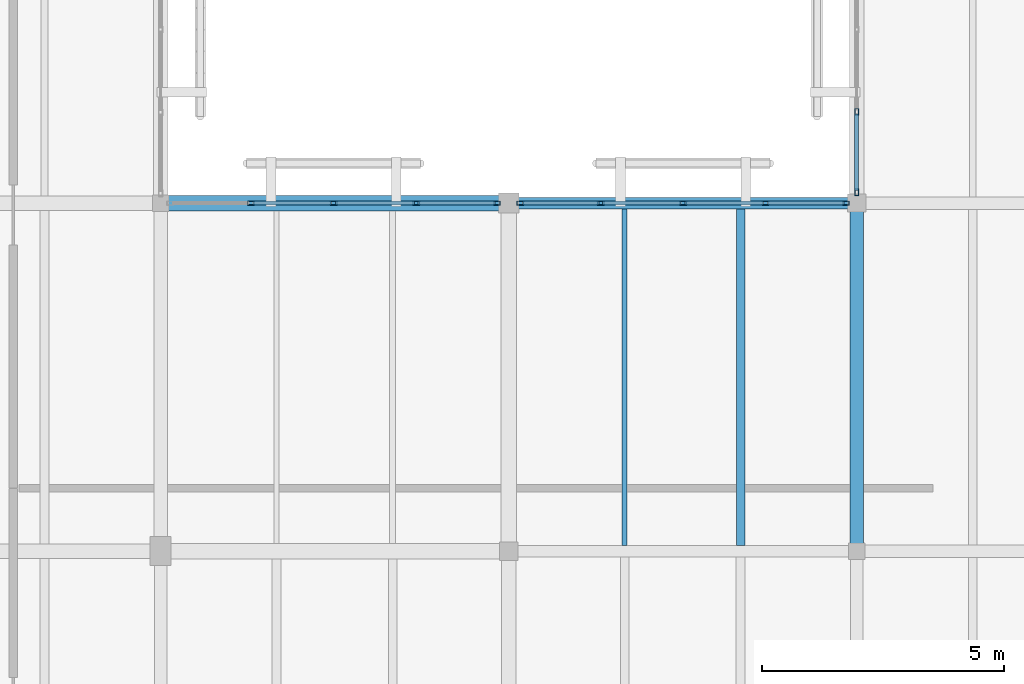
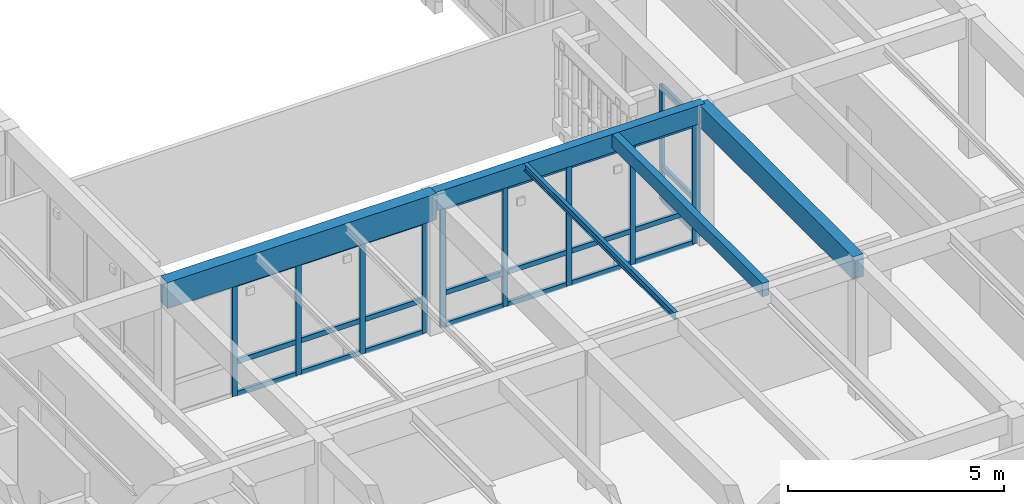
# One storey, part 12 of 61: 35 members, 5 beams, 3 elements without a shape of their own.
"""IFC4 building model written with IfcOpenShell, lengths in metres."""

from ifc_helpers import new_model, si_unit, direction, frame, origin, origin_2d, place, context, subcontext, project, spatial, rectangle, hollow_rectangle, i_section, extrude, material, layer, layer_set, material_profile, profile_set, type_object, element, aggregate, save


model = new_model("IFC4")

# Units and contexts
model_context = context("Model", 3, precision=1e-05, world=origin(), true_north=direction((0.0, 1.0)))
body_context = subcontext(model_context, "Body", "Model", "MODEL_VIEW")
ifc_project = project(units=[si_unit("LENGTHUNIT", "METRE"), si_unit("AREAUNIT", "SQUARE_METRE"), si_unit("VOLUMEUNIT", "CUBIC_METRE"), si_unit("PLANEANGLEUNIT", "RADIAN"), si_unit("MASSUNIT", "GRAM", prefix="KILO")], contexts=[model_context])

# Site, building, storey
site_placement = place(None, origin())
site = spatial("IfcSite", under=ifc_project, at=site_placement, CompositionType="ELEMENT")
building_placement = place(site_placement, origin())
building = spatial("IfcBuilding", under=site, at=building_placement, Name="Mazaris Harbour Polytechnic", CompositionType="ELEMENT")
storey_placement = place(building_placement, frame((0.0, 0.0, 18.0)))
storey = spatial("IfcBuildingStorey", under=building, at=storey_placement, Name="L04", CompositionType="ELEMENT", Elevation=18.0)

# Curtain wall, members
ifc_material_1 = material(Name="Anodised Bronze Aluminium and Low-E Glass", Category="aluminium")
ifc_layer = layer(ifc_material_1, 0.159912109375, Name="Anodised Bronze Aluminium and Low-E Glass")
ifc_layer_set = layer_set([ifc_layer], Name="Anodised Bronze Aluminium and Low-E Glass")
curtain_wall_type = type_object("IfcCurtainWallType", Name="Cloister Court Curtain Wall", PredefinedType="NOTDEFINED", material=ifc_layer_set)
curtain_wall_1_placement = place(storey_placement, origin())
curtain_wall_1 = element("IfcCurtainWall", 1, at=curtain_wall_1_placement, inside=storey, type_object=curtain_wall_type, Name="V4 L04 Curtain Wall 167", PredefinedType="NOTDEFINED")
ifc_material_2 = material(Name="Anodised Bronze Steel S355", Category="steel")
ifc_material_profile_1 = material_profile(ifc_material_2, hollow_rectangle(XDim=0.080078125, YDim=0.139892578125, WallThickness=0.00634765625, at=origin_2d()), Name="RHS 80x140x6.3")
ifc_profile_set_1 = profile_set([ifc_material_profile_1], Name="Anodised Bronze Steel S355")
member_type_1 = type_object("IfcMemberType", Name="Curtain Mullion RHS80x140", PredefinedType="MULLION", material=ifc_profile_set_1)
member_1_placement = place(storey_placement, frame((16.27099609375, 36.0, 0.0), z_axis=(0.0, 0.0, 1.0), x_axis=(0.0, 1.0, 0.0)))
member_1 = element("IfcMember", 2, at=member_1_placement, type_object=member_type_1, Name="CW-02 mullion 2", PredefinedType="MULLION", context=body_context, shape_type="SweptSolid", body=[
    extrude(hollow_rectangle(XDim=0.080078125, YDim=0.139892578125, WallThickness=0.00634765625, at=origin_2d()), origin(), (0.0, 0.0, 1.0), 3.18505859375),
])
member_2_placement = place(storey_placement, frame((17.97998046875, 36.0, 0.0), z_axis=(0.0, 0.0, 1.0), x_axis=(0.0, 1.0, 0.0)))
member_2 = element("IfcMember", 3, at=member_2_placement, type_object=member_type_1, Name="CW-02 mullion 3", PredefinedType="MULLION", context=body_context, shape_type="SweptSolid", body=[
    extrude(hollow_rectangle(XDim=0.080078125, YDim=0.139892578125, WallThickness=0.00634765625, at=origin_2d()), origin(), (0.0, 0.0, 1.0), 3.18505859375),
])
member_3_placement = place(storey_placement, frame((19.68896484375, 36.0, 0.0), z_axis=(0.0, 0.0, 1.0), x_axis=(0.0, 1.0, 0.0)))
member_3 = element("IfcMember", 4, at=member_3_placement, type_object=member_type_1, Name="CW-02 mullion 4", PredefinedType="MULLION", context=body_context, shape_type="SweptSolid", body=[
    extrude(hollow_rectangle(XDim=0.080078125, YDim=0.139892578125, WallThickness=0.00634765625, at=origin_2d()), origin(), (0.0, 0.0, 1.0), 3.18505859375),
])
member_4_placement = place(storey_placement, frame((21.35791015625, 36.0, 0.0), z_axis=(0.0, 0.0, 1.0), x_axis=(0.0, 1.0, 0.0)))
member_4 = element("IfcMember", 5, at=member_4_placement, type_object=member_type_1, Name="CW-02 mullion 5", PredefinedType="MULLION", context=body_context, shape_type="SweptSolid", body=[
    extrude(hollow_rectangle(XDim=0.080078125, YDim=0.139892578125, WallThickness=0.00634765625, at=origin_2d()), origin(), (0.0, 0.0, 1.0), 3.18505859375),
])

curtain_wall_2_placement = place(storey_placement, origin())
curtain_wall_2 = element("IfcCurtainWall", 6, at=curtain_wall_2_placement, inside=storey, type_object=curtain_wall_type, Name="V4 L04 Curtain Wall 168", PredefinedType="NOTDEFINED")
member_5_placement = place(storey_placement, frame((21.842041015625, 36.0, 0.0), z_axis=(0.0, 0.0, 1.0), x_axis=(0.0, 1.0, 0.0)))
member_5 = element("IfcMember", 7, at=member_5_placement, type_object=member_type_1, Name="CW-02 mullion 1", PredefinedType="MULLION", context=body_context, shape_type="SweptSolid", body=[
    extrude(hollow_rectangle(XDim=0.080078125, YDim=0.139892578125, WallThickness=0.00634765625, at=origin_2d()), origin(), (0.0, 0.0, 1.0), 3.405029296875),
])
member_6_placement = place(storey_placement, frame((23.506103515625, 36.0, 0.0), z_axis=(0.0, 0.0, 1.0), x_axis=(0.0, 1.0, 0.0)))
member_6 = element("IfcMember", 8, at=member_6_placement, type_object=member_type_1, Name="CW-02 mullion 2", PredefinedType="MULLION", context=body_context, shape_type="SweptSolid", body=[
    extrude(hollow_rectangle(XDim=0.080078125, YDim=0.139892578125, WallThickness=0.00634765625, at=origin_2d()), origin(), (0.0, 0.0, 1.0), 3.405029296875),
])
member_7_placement = place(storey_placement, frame((25.2099609375, 36.0, 0.0), z_axis=(0.0, 0.0, 1.0), x_axis=(0.0, 1.0, 0.0)))
member_7 = element("IfcMember", 9, at=member_7_placement, type_object=member_type_1, Name="CW-02 mullion 3", PredefinedType="MULLION", context=body_context, shape_type="SweptSolid", body=[
    extrude(hollow_rectangle(XDim=0.080078125, YDim=0.139892578125, WallThickness=0.00634765625, at=origin_2d()), origin(), (0.0, 0.0, 1.0), 3.405029296875),
])
member_8_placement = place(storey_placement, frame((26.9140625, 36.0, 0.0), z_axis=(0.0, 0.0, 1.0), x_axis=(0.0, 1.0, 0.0)))
member_8 = element("IfcMember", 10, at=member_8_placement, type_object=member_type_1, Name="CW-02 mullion 4", PredefinedType="MULLION", context=body_context, shape_type="SweptSolid", body=[
    extrude(hollow_rectangle(XDim=0.080078125, YDim=0.139892578125, WallThickness=0.00634765625, at=origin_2d()), origin(), (0.0, 0.0, 1.0), 3.405029296875),
])
member_9_placement = place(storey_placement, frame((28.577880859375, 36.0, 0.0), z_axis=(0.0, 0.0, 1.0), x_axis=(0.0, 1.0, 0.0)))
member_9 = element("IfcMember", 11, at=member_9_placement, type_object=member_type_1, Name="CW-02 mullion 5", PredefinedType="MULLION", context=body_context, shape_type="SweptSolid", body=[
    extrude(hollow_rectangle(XDim=0.080078125, YDim=0.139892578125, WallThickness=0.00634765625, at=origin_2d()), origin(), (0.0, 0.0, 1.0), 3.405029296875),
])

curtain_wall_3_placement = place(storey_placement, origin())
curtain_wall_3 = element("IfcCurtainWall", 12, at=curtain_wall_3_placement, inside=storey, type_object=curtain_wall_type, Name="V4 L04 Curtain Wall 175", PredefinedType="NOTDEFINED")
member_10_placement = place(storey_placement, frame((28.800048828125, 37.885986328125, 0.0), z_axis=(0.0, 0.0, 1.0), x_axis=(1.0, 0.0, 0.0)))
member_10 = element("IfcMember", 13, at=member_10_placement, type_object=member_type_1, Name="CW-02 mullion 4", PredefinedType="MULLION", context=body_context, shape_type="SweptSolid", body=[
    extrude(hollow_rectangle(XDim=0.080078125, YDim=0.139892578125, WallThickness=0.00634765625, at=origin_2d()), origin(), (0.0, 0.0, 1.0), 3.2451171875),
])
member_11_placement = place(storey_placement, frame((28.800048828125, 36.221923828125, 0.0), z_axis=(0.0, 0.0, 1.0), x_axis=(1.0, 0.0, 0.0)))
member_11 = element("IfcMember", 14, at=member_11_placement, type_object=member_type_1, Name="CW-02 mullion 5", PredefinedType="MULLION", context=body_context, shape_type="SweptSolid", body=[
    extrude(hollow_rectangle(XDim=0.080078125, YDim=0.139892578125, WallThickness=0.00634765625, at=origin_2d()), origin(), (0.0, 0.0, 1.0), 3.2451171875),
])

# Member
ifc_material_3 = material(Name="Anodised Bronze Steel S355", Category="steel")
ifc_material_profile_2 = material_profile(ifc_material_3, hollow_rectangle(XDim=0.080078125, YDim=0.139892578125, WallThickness=0.00634765625, at=origin_2d()), Name="RHS 80x140x6.3")
ifc_profile_set_2 = profile_set([ifc_material_profile_2], Name="Anodised Bronze Steel S355")
member_type_2 = type_object("IfcMemberType", Name="Curtain Transom RHS80x140", PredefinedType="USERDEFINED", material=ifc_profile_set_2)
member_12_placement = place(storey_placement, frame((16.31103515625, 36.0, 0.0400390625), z_axis=(1.0, 0.0, 0.0), x_axis=(0.0, 1.0, 0.0)))
member_12 = element("IfcMember", 15, at=member_12_placement, type_object=member_type_2, Name="CW-02 transom 2.1", ObjectType="TRANSOM", PredefinedType="USERDEFINED", context=body_context, shape_type="SweptSolid", body=[
    extrude(hollow_rectangle(XDim=0.080078125, YDim=0.139892578125, WallThickness=0.00634765625, at=origin_2d()), origin(), (0.0, 0.0, 1.0), 1.62890625),
])

member_13_placement = place(storey_placement, frame((16.31103515625, 36.0, 0.949951171875), z_axis=(1.0, 0.0, 0.0), x_axis=(0.0, 1.0, 0.0)))
member_13 = element("IfcMember", 16, at=member_13_placement, type_object=member_type_2, Name="CW-02 transom 2.2", ObjectType="TRANSOM", PredefinedType="USERDEFINED", context=body_context, shape_type="SweptSolid", body=[
    extrude(hollow_rectangle(XDim=0.080078125, YDim=0.139892578125, WallThickness=0.00634765625, at=origin_2d()), origin(), (0.0, 0.0, 1.0), 1.62890625),
])

member_14_placement = place(storey_placement, frame((16.31103515625, 36.0, 3.14501953125), z_axis=(1.0, 0.0, 0.0), x_axis=(0.0, 1.0, 0.0)))
member_14 = element("IfcMember", 17, at=member_14_placement, type_object=member_type_2, Name="CW-02 transom 2.3", ObjectType="TRANSOM", PredefinedType="USERDEFINED", context=body_context, shape_type="SweptSolid", body=[
    extrude(hollow_rectangle(XDim=0.080078125, YDim=0.139892578125, WallThickness=0.00634765625, at=origin_2d()), origin(), (0.0, 0.0, 1.0), 1.62890625),
])

member_15_placement = place(storey_placement, frame((18.02001953125, 36.0, 0.0400390625), z_axis=(1.0, 0.0, 0.0), x_axis=(0.0, 1.0, 0.0)))
member_15 = element("IfcMember", 18, at=member_15_placement, type_object=member_type_2, Name="CW-02 transom 3.1", ObjectType="TRANSOM", PredefinedType="USERDEFINED", context=body_context, shape_type="SweptSolid", body=[
    extrude(hollow_rectangle(XDim=0.080078125, YDim=0.139892578125, WallThickness=0.00634765625, at=origin_2d()), origin(), (0.0, 0.0, 1.0), 1.62890625),
])

member_16_placement = place(storey_placement, frame((18.02001953125, 36.0, 0.949951171875), z_axis=(1.0, 0.0, 0.0), x_axis=(0.0, 1.0, 0.0)))
member_16 = element("IfcMember", 19, at=member_16_placement, type_object=member_type_2, Name="CW-02 transom 3.2", ObjectType="TRANSOM", PredefinedType="USERDEFINED", context=body_context, shape_type="SweptSolid", body=[
    extrude(hollow_rectangle(XDim=0.080078125, YDim=0.139892578125, WallThickness=0.00634765625, at=origin_2d()), origin(), (0.0, 0.0, 1.0), 1.62890625),
])

member_17_placement = place(storey_placement, frame((18.02001953125, 36.0, 3.14501953125), z_axis=(1.0, 0.0, 0.0), x_axis=(0.0, 1.0, 0.0)))
member_17 = element("IfcMember", 20, at=member_17_placement, type_object=member_type_2, Name="CW-02 transom 3.3", ObjectType="TRANSOM", PredefinedType="USERDEFINED", context=body_context, shape_type="SweptSolid", body=[
    extrude(hollow_rectangle(XDim=0.080078125, YDim=0.139892578125, WallThickness=0.00634765625, at=origin_2d()), origin(), (0.0, 0.0, 1.0), 1.62890625),
])

member_18_placement = place(storey_placement, frame((19.72900390625, 36.0, 0.0400390625), z_axis=(1.0, 0.0, 0.0), x_axis=(0.0, 1.0, 0.0)))
member_18 = element("IfcMember", 21, at=member_18_placement, type_object=member_type_2, Name="CW-02 transom 4.1", ObjectType="TRANSOM", PredefinedType="USERDEFINED", context=body_context, shape_type="SweptSolid", body=[
    extrude(hollow_rectangle(XDim=0.080078125, YDim=0.139892578125, WallThickness=0.00634765625, at=origin_2d()), origin(), (0.0, 0.0, 1.0), 1.589111328125),
])

member_19_placement = place(storey_placement, frame((19.72900390625, 36.0, 0.949951171875), z_axis=(1.0, 0.0, 0.0), x_axis=(0.0, 1.0, 0.0)))
member_19 = element("IfcMember", 22, at=member_19_placement, type_object=member_type_2, Name="CW-02 transom 4.2", ObjectType="TRANSOM", PredefinedType="USERDEFINED", context=body_context, shape_type="SweptSolid", body=[
    extrude(hollow_rectangle(XDim=0.080078125, YDim=0.139892578125, WallThickness=0.00634765625, at=origin_2d()), origin(), (0.0, 0.0, 1.0), 1.589111328125),
])

member_20_placement = place(storey_placement, frame((19.72900390625, 36.0, 3.14501953125), z_axis=(1.0, 0.0, 0.0), x_axis=(0.0, 1.0, 0.0)))
member_20 = element("IfcMember", 23, at=member_20_placement, type_object=member_type_2, Name="CW-02 transom 4.3", ObjectType="TRANSOM", PredefinedType="USERDEFINED", context=body_context, shape_type="SweptSolid", body=[
    extrude(hollow_rectangle(XDim=0.080078125, YDim=0.139892578125, WallThickness=0.00634765625, at=origin_2d()), origin(), (0.0, 0.0, 1.0), 1.589111328125),
])

aggregate(curtain_wall_1, [member_1, member_2, member_3, member_4, member_12, member_13, member_14, member_15, member_16, member_17, member_18, member_19, member_20])

member_21_placement = place(storey_placement, frame((21.882080078125, 36.0, 0.0400390625), z_axis=(1.0, 0.0, 0.0), x_axis=(0.0, 1.0, 0.0)))
member_21 = element("IfcMember", 24, at=member_21_placement, type_object=member_type_2, Name="CW-02 transom 1.1", ObjectType="TRANSOM", PredefinedType="USERDEFINED", context=body_context, shape_type="SweptSolid", body=[
    extrude(hollow_rectangle(XDim=0.080078125, YDim=0.139892578125, WallThickness=0.00634765625, at=origin_2d()), origin(), (0.0, 0.0, 1.0), 1.583984375),
])

member_22_placement = place(storey_placement, frame((21.882080078125, 36.0, 0.949951171875), z_axis=(1.0, 0.0, 0.0), x_axis=(0.0, 1.0, 0.0)))
member_22 = element("IfcMember", 25, at=member_22_placement, type_object=member_type_2, Name="CW-02 transom 1.2", ObjectType="TRANSOM", PredefinedType="USERDEFINED", context=body_context, shape_type="SweptSolid", body=[
    extrude(hollow_rectangle(XDim=0.080078125, YDim=0.139892578125, WallThickness=0.00634765625, at=origin_2d()), origin(), (0.0, 0.0, 1.0), 1.583984375),
])

member_23_placement = place(storey_placement, frame((21.882080078125, 36.0, 3.364990234375), z_axis=(1.0, 0.0, 0.0), x_axis=(0.0, 1.0, 0.0)))
member_23 = element("IfcMember", 26, at=member_23_placement, type_object=member_type_2, Name="CW-02 transom 1.3", ObjectType="TRANSOM", PredefinedType="USERDEFINED", context=body_context, shape_type="SweptSolid", body=[
    extrude(hollow_rectangle(XDim=0.080078125, YDim=0.139892578125, WallThickness=0.00634765625, at=origin_2d()), origin(), (0.0, 0.0, 1.0), 1.583984375),
])

member_24_placement = place(storey_placement, frame((23.5458984375, 36.0, 0.0400390625), z_axis=(1.0, 0.0, 0.0), x_axis=(0.0, 1.0, 0.0)))
member_24 = element("IfcMember", 27, at=member_24_placement, type_object=member_type_2, Name="CW-02 transom 2.1", ObjectType="TRANSOM", PredefinedType="USERDEFINED", context=body_context, shape_type="SweptSolid", body=[
    extrude(hollow_rectangle(XDim=0.080078125, YDim=0.139892578125, WallThickness=0.00634765625, at=origin_2d()), origin(), (0.0, 0.0, 1.0), 1.6240234375),
])

member_25_placement = place(storey_placement, frame((23.5458984375, 36.0, 0.949951171875), z_axis=(1.0, 0.0, 0.0), x_axis=(0.0, 1.0, 0.0)))
member_25 = element("IfcMember", 28, at=member_25_placement, type_object=member_type_2, Name="CW-02 transom 2.2", ObjectType="TRANSOM", PredefinedType="USERDEFINED", context=body_context, shape_type="SweptSolid", body=[
    extrude(hollow_rectangle(XDim=0.080078125, YDim=0.139892578125, WallThickness=0.00634765625, at=origin_2d()), origin(), (0.0, 0.0, 1.0), 1.6240234375),
])

member_26_placement = place(storey_placement, frame((23.5458984375, 36.0, 3.364990234375), z_axis=(1.0, 0.0, 0.0), x_axis=(0.0, 1.0, 0.0)))
member_26 = element("IfcMember", 29, at=member_26_placement, type_object=member_type_2, Name="CW-02 transom 2.3", ObjectType="TRANSOM", PredefinedType="USERDEFINED", context=body_context, shape_type="SweptSolid", body=[
    extrude(hollow_rectangle(XDim=0.080078125, YDim=0.139892578125, WallThickness=0.00634765625, at=origin_2d()), origin(), (0.0, 0.0, 1.0), 1.6240234375),
])

member_27_placement = place(storey_placement, frame((25.25, 36.0, 0.0400390625), z_axis=(1.0, 0.0, 0.0), x_axis=(0.0, 1.0, 0.0)))
member_27 = element("IfcMember", 30, at=member_27_placement, type_object=member_type_2, Name="CW-02 transom 3.1", ObjectType="TRANSOM", PredefinedType="USERDEFINED", context=body_context, shape_type="SweptSolid", body=[
    extrude(hollow_rectangle(XDim=0.080078125, YDim=0.139892578125, WallThickness=0.00634765625, at=origin_2d()), origin(), (0.0, 0.0, 1.0), 1.6240234375),
])

member_28_placement = place(storey_placement, frame((25.25, 36.0, 0.949951171875), z_axis=(1.0, 0.0, 0.0), x_axis=(0.0, 1.0, 0.0)))
member_28 = element("IfcMember", 31, at=member_28_placement, type_object=member_type_2, Name="CW-02 transom 3.2", ObjectType="TRANSOM", PredefinedType="USERDEFINED", context=body_context, shape_type="SweptSolid", body=[
    extrude(hollow_rectangle(XDim=0.080078125, YDim=0.139892578125, WallThickness=0.00634765625, at=origin_2d()), origin(), (0.0, 0.0, 1.0), 1.6240234375),
])

member_29_placement = place(storey_placement, frame((25.25, 36.0, 3.364990234375), z_axis=(1.0, 0.0, 0.0), x_axis=(0.0, 1.0, 0.0)))
member_29 = element("IfcMember", 32, at=member_29_placement, type_object=member_type_2, Name="CW-02 transom 3.3", ObjectType="TRANSOM", PredefinedType="USERDEFINED", context=body_context, shape_type="SweptSolid", body=[
    extrude(hollow_rectangle(XDim=0.080078125, YDim=0.139892578125, WallThickness=0.00634765625, at=origin_2d()), origin(), (0.0, 0.0, 1.0), 1.6240234375),
])

member_30_placement = place(storey_placement, frame((26.9541015625, 36.0, 0.0400390625), z_axis=(1.0, 0.0, 0.0), x_axis=(0.0, 1.0, 0.0)))
member_30 = element("IfcMember", 33, at=member_30_placement, type_object=member_type_2, Name="CW-02 transom 4.1", ObjectType="TRANSOM", PredefinedType="USERDEFINED", context=body_context, shape_type="SweptSolid", body=[
    extrude(hollow_rectangle(XDim=0.080078125, YDim=0.139892578125, WallThickness=0.00634765625, at=origin_2d()), origin(), (0.0, 0.0, 1.0), 1.583984375),
])

member_31_placement = place(storey_placement, frame((26.9541015625, 36.0, 0.949951171875), z_axis=(1.0, 0.0, 0.0), x_axis=(0.0, 1.0, 0.0)))
member_31 = element("IfcMember", 34, at=member_31_placement, type_object=member_type_2, Name="CW-02 transom 4.2", ObjectType="TRANSOM", PredefinedType="USERDEFINED", context=body_context, shape_type="SweptSolid", body=[
    extrude(hollow_rectangle(XDim=0.080078125, YDim=0.139892578125, WallThickness=0.00634765625, at=origin_2d()), origin(), (0.0, 0.0, 1.0), 1.583984375),
])

member_32_placement = place(storey_placement, frame((26.9541015625, 36.0, 3.364990234375), z_axis=(1.0, 0.0, 0.0), x_axis=(0.0, 1.0, 0.0)))
member_32 = element("IfcMember", 35, at=member_32_placement, type_object=member_type_2, Name="CW-02 transom 4.3", ObjectType="TRANSOM", PredefinedType="USERDEFINED", context=body_context, shape_type="SweptSolid", body=[
    extrude(hollow_rectangle(XDim=0.080078125, YDim=0.139892578125, WallThickness=0.00634765625, at=origin_2d()), origin(), (0.0, 0.0, 1.0), 1.583984375),
])

aggregate(curtain_wall_2, [member_5, member_6, member_7, member_8, member_9, member_21, member_22, member_23, member_24, member_25, member_26, member_27, member_28, member_29, member_30, member_31, member_32])

member_33_placement = place(storey_placement, frame((28.800048828125, 37.845947265625, 0.0400390625), z_axis=(0.0, -1.0, 0.0), x_axis=(1.0, 0.0, 0.0)))
member_33 = element("IfcMember", 36, at=member_33_placement, type_object=member_type_2, Name="CW-02 transom 4.1", ObjectType="TRANSOM", PredefinedType="USERDEFINED", context=body_context, shape_type="SweptSolid", body=[
    extrude(hollow_rectangle(XDim=0.080078125, YDim=0.139892578125, WallThickness=0.00634765625, at=origin_2d()), origin(), (0.0, 0.0, 1.0), 1.583984375),
])

member_34_placement = place(storey_placement, frame((28.800048828125, 37.845947265625, 0.949951171875), z_axis=(0.0, -1.0, 0.0), x_axis=(1.0, 0.0, 0.0)))
member_34 = element("IfcMember", 37, at=member_34_placement, type_object=member_type_2, Name="CW-02 transom 4.2", ObjectType="TRANSOM", PredefinedType="USERDEFINED", context=body_context, shape_type="SweptSolid", body=[
    extrude(hollow_rectangle(XDim=0.080078125, YDim=0.139892578125, WallThickness=0.00634765625, at=origin_2d()), origin(), (0.0, 0.0, 1.0), 1.583984375),
])

member_35_placement = place(storey_placement, frame((28.800048828125, 37.845947265625, 3.205078125), z_axis=(0.0, -1.0, 0.0), x_axis=(1.0, 0.0, 0.0)))
member_35 = element("IfcMember", 38, at=member_35_placement, type_object=member_type_2, Name="CW-02 transom 4.3", ObjectType="TRANSOM", PredefinedType="USERDEFINED", context=body_context, shape_type="SweptSolid", body=[
    extrude(hollow_rectangle(XDim=0.080078125, YDim=0.139892578125, WallThickness=0.00634765625, at=origin_2d()), origin(), (0.0, 0.0, 1.0), 1.583984375),
])

aggregate(curtain_wall_3, [member_10, member_11, member_33, member_34, member_35])

# Beams
ifc_material_4 = material(Name="Glulam GL32h", Category="wood")
ifc_material_profile_3 = material_profile(ifc_material_4, rectangle(XDim=0.239990234375, YDim=0.52001953125, at=origin_2d()), Name="RECT240x520")
ifc_profile_set_3 = profile_set([ifc_material_profile_3], Name="Glulam GL32h")
beam_type_1 = type_object("IfcBeamType", Name="Glulam Girder 240x520", PredefinedType="BEAM", material=ifc_profile_set_3)
beam_1_placement = place(storey_placement, frame((21.60009765625, 36.0, 3.675048828125), z_axis=(1.0, 0.0, 0.0), x_axis=(0.0, 1.0, 0.0)))
element("IfcBeam", 39, at=beam_1_placement, inside=storey, type_object=beam_type_1, Name="V4 L04 Girder 2385", PredefinedType="BEAM", context=body_context, shape_type="SweptSolid", body=[
    extrude(rectangle(XDim=0.239990234375, YDim=0.52001953125, at=origin_2d()), origin(), (0.0, 0.0, 1.0), 7.199951171875),
])
ifc_material_5 = material(Name="Glulam GL32h", Category="wood")
ifc_material_profile_4 = material_profile(ifc_material_5, rectangle(XDim=0.280029296875, YDim=0.639892578125, at=origin_2d()), Name="RECT280x640")
ifc_profile_set_4 = profile_set([ifc_material_profile_4], Name="Glulam GL32h")
beam_type_2 = type_object("IfcBeamType", Name="Glulam Girder 280x640", PredefinedType="BEAM", material=ifc_profile_set_4)
beam_2_placement = place(storey_placement, frame((28.800048828125, 28.800048828125, 3.614990234375), z_axis=(0.0, 1.0, 0.0), x_axis=(-1.0, 0.0, 0.0)))
element("IfcBeam", 40, at=beam_2_placement, inside=storey, type_object=beam_type_2, Name="V4 L04 Tie Girder 2422", PredefinedType="BEAM", context=body_context, shape_type="SweptSolid", body=[
    extrude(rectangle(XDim=0.280029296875, YDim=0.639892578125, at=origin_2d()), origin(), (0.0, 0.0, 1.0), 7.199951171875),
])
ifc_material_6 = material(Name="Glulam GL32h", Category="wood")
ifc_material_profile_5 = material_profile(ifc_material_6, rectangle(XDim=0.320068359375, YDim=0.739990234375, at=origin_2d()), Name="RECT320x740")
ifc_profile_set_5 = profile_set([ifc_material_profile_5], Name="Glulam GL32h")
beam_type_3 = type_object("IfcBeamType", Name="Glulam Girder 320x740", PredefinedType="BEAM", material=ifc_profile_set_5)
beam_3_placement = place(storey_placement, frame((14.39990234375, 36.0, 3.56494140625), z_axis=(1.0, 0.0, 0.0), x_axis=(0.0, 1.0, 0.0)))
element("IfcBeam", 41, at=beam_3_placement, inside=storey, type_object=beam_type_3, Name="V4 L04 Girder 2384", PredefinedType="BEAM", context=body_context, shape_type="SweptSolid", body=[
    extrude(rectangle(XDim=0.320068359375, YDim=0.739990234375, at=origin_2d()), origin(), (0.0, 0.0, 1.0), 7.2001953125),
])
ifc_material_7 = material(Name="Glulam GL28h", Category="wood")
ifc_material_profile_6 = material_profile(ifc_material_7, rectangle(XDim=0.179931640625, YDim=0.3798828125, at=origin_2d()), Name="RECT180x380")
ifc_profile_set_6 = profile_set([ifc_material_profile_6], Name="Glulam GL28h")
beam_type_4 = type_object("IfcBeamType", Name="Glulam Joist 180x380", PredefinedType="JOIST", material=ifc_profile_set_6)
beam_4_placement = place(storey_placement, frame((26.39990234375, 28.919921875, 3.7451171875), z_axis=(0.0, 1.0, 0.0), x_axis=(-1.0, 0.0, 0.0)))
element("IfcBeam", 42, at=beam_4_placement, inside=storey, type_object=beam_type_4, Name="V4 L04 Floor Joist 2472", PredefinedType="JOIST", context=body_context, shape_type="SweptSolid", body=[
    extrude(rectangle(XDim=0.179931640625, YDim=0.3798828125, at=origin_2d()), origin(), (0.0, 0.0, 1.0), 6.9599609375),
])
ifc_material_8 = material(Name="Steel S355", Category="steel")
ifc_material_profile_7 = material_profile(ifc_material_8, i_section(OverallWidth=0.10009765625, OverallDepth=0.199951171875, WebThickness=0.005615234375, FlangeThickness=0.008544921875, FilletRadius=0.011962890625, at=origin_2d()), Name="IPE 200")
ifc_profile_set_7 = profile_set([ifc_material_profile_7], Name="Steel S355")
beam_type_5 = type_object("IfcBeamType", Name="Steel Joist IPE200", PredefinedType="JOIST", material=ifc_profile_set_7)
beam_5_placement = place(storey_placement, frame((24.0, 28.919921875, 3.8349609375), z_axis=(0.0, 1.0, 0.0), x_axis=(-1.0, 0.0, 0.0)))
element("IfcBeam", 43, at=beam_5_placement, inside=storey, type_object=beam_type_5, Name="V4 L04 Floor Joist 2471", PredefinedType="JOIST", context=body_context, shape_type="SweptSolid", body=[
    extrude(i_section(OverallWidth=0.10009765625, OverallDepth=0.199951171875, WebThickness=0.005615234375, FlangeThickness=0.008544921875, FilletRadius=0.011962890625, at=origin_2d()), origin(), (0.0, 0.0, 1.0), 6.9599609375),
])

save(model, "model.ifc")
